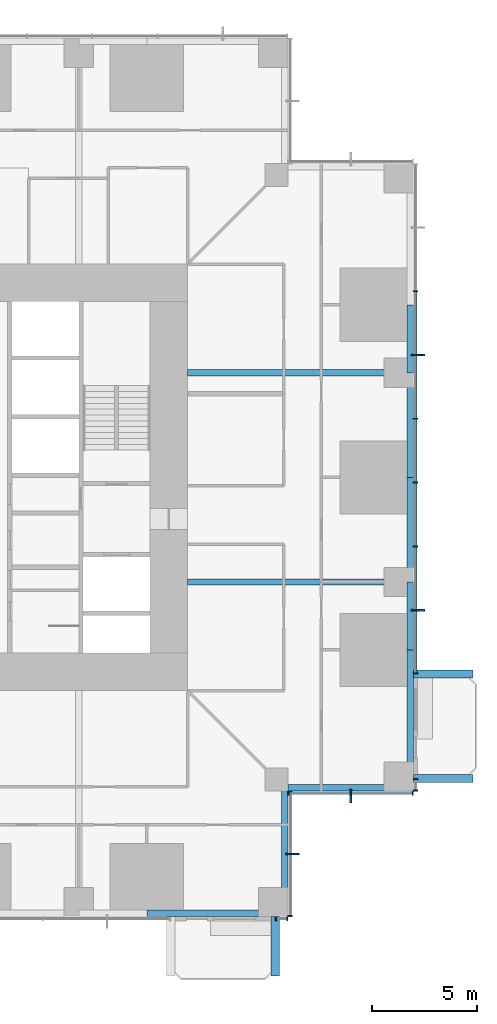
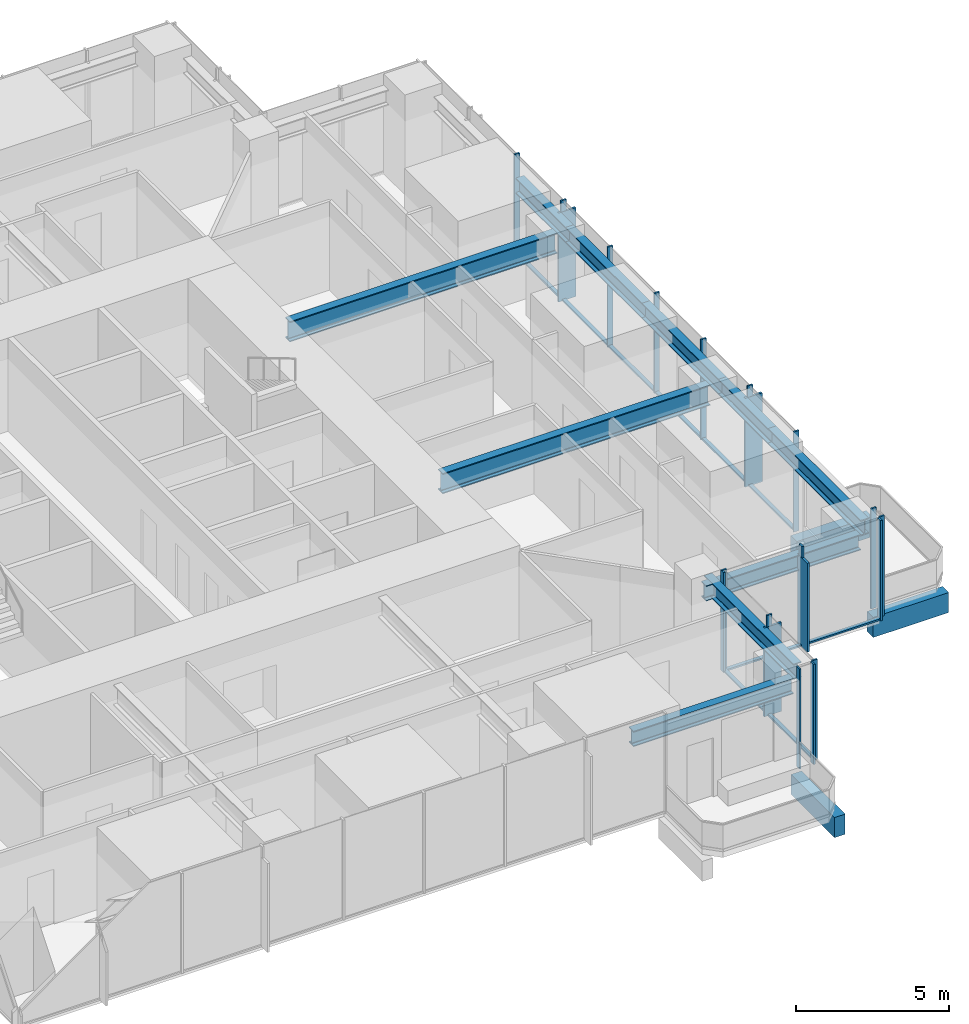
# One storey, part 4 of 17: 31 members, 13 beams, 5 elements without a shape of their own.
"""IFC4 building model written with IfcOpenShell, lengths in metres."""

from ifc_helpers import new_model, si_unit, direction, frame, origin, origin_2d, place, context, subcontext, project, spatial, rectangle, i_section, extrude, material, material_profile, profile_set, type_object, element, aggregate, save


model = new_model("IFC4")

# Units and contexts
model_context = context("Model", 3, precision=1e-05, world=origin(), true_north=direction((0.0, 1.0)))
body_context = subcontext(model_context, "Body", "Model", "MODEL_VIEW")
ifc_project = project(units=[si_unit("LENGTHUNIT", "METRE"), si_unit("AREAUNIT", "SQUARE_METRE"), si_unit("VOLUMEUNIT", "CUBIC_METRE"), si_unit("PLANEANGLEUNIT", "RADIAN"), si_unit("MASSUNIT", "GRAM", prefix="KILO")], contexts=[model_context])

# Site, building, storey
site_placement = place(None, origin())
site = spatial("IfcSite", under=ifc_project, at=site_placement, CompositionType="ELEMENT")
building_placement = place(site_placement, origin())
building = spatial("IfcBuilding", under=site, at=building_placement, Name="Svetlomir Tower", CompositionType="ELEMENT")
storey_placement = place(building_placement, frame((0.0, 0.0, 82.5)))
storey = spatial("IfcBuildingStorey", under=building, at=storey_placement, Name="L19", CompositionType="ELEMENT", Elevation=82.5)

# Beams
ifc_material_1 = material(Name="Concrete C60/75", Category="concrete")
ifc_material_profile_1 = material_profile(ifc_material_1, rectangle(XDim=0.39990234375, YDim=0.800048828125, at=origin_2d()), Name="RC 400x800")
ifc_profile_set_1 = profile_set([ifc_material_profile_1], Name="Concrete C60/75")
beam_type_1 = type_object("IfcBeamType", Name="BALCONY RIB RC 400x800", PredefinedType="BEAM", material=ifc_profile_set_1)
for number, where, z_axis, x_axis, name in (
    (1, (35.39990234375, 0.0, -0.64990234375), (0.0, -1.0, 0.0), (1.0, 0.0, 0.0), "Balcony rib S 2 L19"),
    (2, (42.0, 6.60009765625, -0.64990234375), (1.0, 0.0, 0.0), (0.0, 1.0, 0.0), "Balcony rib E 1 L19"),
    (3, (42.0, 11.60009765625, -0.64990234375), (1.0, 0.0, 0.0), (0.0, 1.0, 0.0), "Balcony rib E 2 L19"),
):
    element("IfcBeam", number, at=place(storey_placement, frame(where, z_axis=z_axis, x_axis=x_axis)), inside=storey, type_object=beam_type_1, Name=name, PredefinedType="BEAM", context=body_context, shape_type="SweptSolid", body=[
        extrude(rectangle(XDim=0.39990234375, YDim=0.800048828125, at=origin_2d()), origin(), (0.0, 0.0, 1.0), 2.85009765625),
    ])

# Curtain wall, member
ifc_material_2 = material(Name="Bronze anodised aluminium curtain wall", Category="aluminium")
curtain_wall_type = type_object("IfcCurtainWallType", Name="CURTAIN WALL CW1 TOWER OFFICE", PredefinedType="NOTDEFINED", material=ifc_material_2)
curtain_wall_1_placement = place(storey_placement, origin())
curtain_wall_1 = element("IfcCurtainWall", 4, at=curtain_wall_1_placement, inside=storey, type_object=curtain_wall_type, Name="Curtain wall CW1 L19", PredefinedType="NOTDEFINED")
ifc_material_3 = material(Name="Bronze anodised aluminium", Category="aluminium")
ifc_material_profile_2 = material_profile(ifc_material_3, rectangle(XDim=0.080078125, YDim=0.64990234375, at=origin_2d()), Name="FIN 80x650")
ifc_profile_set_2 = profile_set([ifc_material_profile_2], Name="Bronze anodised aluminium 6063-T6")
member_type_1 = type_object("IfcMemberType", Name="BRONZE FIN 80x650", PredefinedType="USERDEFINED", material=ifc_profile_set_2)
member_1_placement = place(storey_placement, frame((36.22509765625, 3.0, 0.0), z_axis=(0.0, 0.0, 1.0), x_axis=(0.0, 1.0, 0.0)))
member_1 = element("IfcMember", 5, at=member_1_placement, type_object=member_type_1, Name="Bronze fin L19", ObjectType="FIN", PredefinedType="USERDEFINED", context=body_context, shape_type="SweptSolid", body=[
    extrude(rectangle(XDim=0.080078125, YDim=0.64990234375, at=origin_2d()), origin(), (0.0, 0.0, 1.0), 3.550048828125),
])

curtain_wall_2_placement = place(storey_placement, origin())
curtain_wall_2 = element("IfcCurtainWall", 6, at=curtain_wall_2_placement, inside=storey, type_object=curtain_wall_type, Name="Curtain wall CW1 L19", PredefinedType="NOTDEFINED")
member_2_placement = place(storey_placement, frame((39.0, 5.77490234375, 0.0), z_axis=(0.0, 0.0, 1.0), x_axis=(1.0, 0.0, 0.0)))
member_2 = element("IfcMember", 7, at=member_2_placement, type_object=member_type_1, Name="Bronze fin L19", ObjectType="FIN", PredefinedType="USERDEFINED", context=body_context, shape_type="SweptSolid", body=[
    extrude(rectangle(XDim=0.080078125, YDim=0.64990234375, at=origin_2d()), origin(), (0.0, 0.0, 1.0), 3.550048828125),
])

# Curtain wall, members
curtain_wall_3_placement = place(storey_placement, origin())
curtain_wall_3 = element("IfcCurtainWall", 8, at=curtain_wall_3_placement, inside=storey, type_object=curtain_wall_type, Name="Curtain wall CW1 L19", PredefinedType="NOTDEFINED")
member_3_placement = place(storey_placement, frame((42.22509765625, 14.64990234375, 0.0), z_axis=(0.0, 0.0, 1.0), x_axis=(0.0, 1.0, 0.0)))
member_3 = element("IfcMember", 9, at=member_3_placement, type_object=member_type_1, Name="Bronze fin L19", ObjectType="FIN", PredefinedType="USERDEFINED", context=body_context, shape_type="SweptSolid", body=[
    extrude(rectangle(XDim=0.080078125, YDim=0.64990234375, at=origin_2d()), origin(), (0.0, 0.0, 1.0), 3.550048828125),
])
member_4_placement = place(storey_placement, frame((42.22509765625, 26.85009765625, 0.0), z_axis=(0.0, 0.0, 1.0), x_axis=(0.0, 1.0, 0.0)))
member_4 = element("IfcMember", 10, at=member_4_placement, type_object=member_type_1, Name="Bronze fin L19", ObjectType="FIN", PredefinedType="USERDEFINED", context=body_context, shape_type="SweptSolid", body=[
    extrude(rectangle(XDim=0.080078125, YDim=0.64990234375, at=origin_2d()), origin(), (0.0, 0.0, 1.0), 3.550048828125),
])

curtain_wall_4_placement = place(storey_placement, origin())
curtain_wall_4 = element("IfcCurtainWall", 11, at=curtain_wall_4_placement, inside=storey, type_object=curtain_wall_type, Name="Curtain wall CW1 L19", PredefinedType="NOTDEFINED")
ifc_material_4 = material(Name="Bronze anodised aluminium", Category="aluminium")
ifc_material_profile_3 = material_profile(ifc_material_4, rectangle(XDim=0.06494140625, YDim=0.199951171875, at=origin_2d()), Name="AL 65x200")
ifc_profile_set_3 = profile_set([ifc_material_profile_3], Name="Bronze anodised aluminium 6063-T6")
member_type_2 = type_object("IfcMemberType", Name="CW1 MULLION 65x200", PredefinedType="MULLION", material=ifc_profile_set_3)
member_5_placement = place(storey_placement, frame((35.4326171875, -0.10009765625, 0.0), z_axis=(0.0, 0.0, 1.0), x_axis=(1.0, 0.0, 0.0)))
member_5 = element("IfcMember", 12, at=member_5_placement, type_object=member_type_2, Name="CW1 mullion 1", PredefinedType="MULLION", context=body_context, shape_type="SweptSolid", body=[
    extrude(rectangle(XDim=0.06494140625, YDim=0.199951171875, at=origin_2d()), origin(), (0.0, 0.0, 1.0), 4.0),
])
member_6_placement = place(storey_placement, frame((35.967529296875, -0.10009765625, 0.0), z_axis=(0.0, 0.0, 1.0), x_axis=(1.0, 0.0, 0.0)))
member_6 = element("IfcMember", 13, at=member_6_placement, type_object=member_type_2, Name="CW1 mullion 2", PredefinedType="MULLION", context=body_context, shape_type="SweptSolid", body=[
    extrude(rectangle(XDim=0.06494140625, YDim=0.199951171875, at=origin_2d()), origin(), (0.0, 0.0, 1.0), 4.0),
])
aggregate(curtain_wall_4, [member_5, member_6])

# Member
member_7_placement = place(storey_placement, frame((36.10009765625, 0.032470703125, 0.0), z_axis=(0.0, 0.0, 1.0), x_axis=(0.0, 1.0, 0.0)))
member_7 = element("IfcMember", 14, at=member_7_placement, type_object=member_type_2, Name="CW1 mullion 1", PredefinedType="MULLION", context=body_context, shape_type="SweptSolid", body=[
    extrude(rectangle(XDim=0.06494140625, YDim=0.199951171875, at=origin_2d()), origin(), (0.0, 0.0, 1.0), 4.0),
])

member_8_placement = place(storey_placement, frame((36.10009765625, 3.0, 0.0), z_axis=(0.0, 0.0, 1.0), x_axis=(0.0, 1.0, 0.0)))
member_8 = element("IfcMember", 15, at=member_8_placement, type_object=member_type_2, Name="CW1 mullion 2", PredefinedType="MULLION", context=body_context, shape_type="SweptSolid", body=[
    extrude(rectangle(XDim=0.06494140625, YDim=0.199951171875, at=origin_2d()), origin(), (0.0, 0.0, 1.0), 4.0),
])

member_9_placement = place(storey_placement, frame((36.10009765625, 5.967529296875, 0.0), z_axis=(0.0, 0.0, 1.0), x_axis=(0.0, 1.0, 0.0)))
member_9 = element("IfcMember", 16, at=member_9_placement, type_object=member_type_2, Name="CW1 mullion 3", PredefinedType="MULLION", context=body_context, shape_type="SweptSolid", body=[
    extrude(rectangle(XDim=0.06494140625, YDim=0.199951171875, at=origin_2d()), origin(), (0.0, 0.0, 1.0), 4.0),
])

member_10_placement = place(storey_placement, frame((36.032470703125, 5.89990234375, 0.0), z_axis=(0.0, 0.0, 1.0), x_axis=(1.0, 0.0, 0.0)))
member_10 = element("IfcMember", 17, at=member_10_placement, type_object=member_type_2, Name="CW1 mullion 1", PredefinedType="MULLION", context=body_context, shape_type="SweptSolid", body=[
    extrude(rectangle(XDim=0.06494140625, YDim=0.199951171875, at=origin_2d()), origin(), (0.0, 0.0, 1.0), 4.0),
])

member_11_placement = place(storey_placement, frame((39.0, 5.89990234375, 0.0), z_axis=(0.0, 0.0, 1.0), x_axis=(1.0, 0.0, 0.0)))
member_11 = element("IfcMember", 18, at=member_11_placement, type_object=member_type_2, Name="CW1 mullion 2", PredefinedType="MULLION", context=body_context, shape_type="SweptSolid", body=[
    extrude(rectangle(XDim=0.06494140625, YDim=0.199951171875, at=origin_2d()), origin(), (0.0, 0.0, 1.0), 4.0),
])

member_12_placement = place(storey_placement, frame((41.967529296875, 5.89990234375, 0.0), z_axis=(0.0, 0.0, 1.0), x_axis=(1.0, 0.0, 0.0)))
member_12 = element("IfcMember", 19, at=member_12_placement, type_object=member_type_2, Name="CW1 mullion 3", PredefinedType="MULLION", context=body_context, shape_type="SweptSolid", body=[
    extrude(rectangle(XDim=0.06494140625, YDim=0.199951171875, at=origin_2d()), origin(), (0.0, 0.0, 1.0), 4.0),
])

# Curtain wall, members
curtain_wall_5_placement = place(storey_placement, origin())
curtain_wall_5 = element("IfcCurtainWall", 20, at=curtain_wall_5_placement, inside=storey, type_object=curtain_wall_type, Name="Curtain wall CW1 L19", PredefinedType="NOTDEFINED")
member_13_placement = place(storey_placement, frame((42.10009765625, 6.032470703125, 0.0), z_axis=(0.0, 0.0, 1.0), x_axis=(0.0, 1.0, 0.0)))
member_13 = element("IfcMember", 21, at=member_13_placement, type_object=member_type_2, Name="CW1 mullion 1", PredefinedType="MULLION", context=body_context, shape_type="SweptSolid", body=[
    extrude(rectangle(XDim=0.06494140625, YDim=0.199951171875, at=origin_2d()), origin(), (0.0, 0.0, 1.0), 4.0),
])
member_14_placement = place(storey_placement, frame((42.10009765625, 6.5673828125, 0.0), z_axis=(0.0, 0.0, 1.0), x_axis=(0.0, 1.0, 0.0)))
member_14 = element("IfcMember", 22, at=member_14_placement, type_object=member_type_2, Name="CW1 mullion 2", PredefinedType="MULLION", context=body_context, shape_type="SweptSolid", body=[
    extrude(rectangle(XDim=0.06494140625, YDim=0.199951171875, at=origin_2d()), origin(), (0.0, 0.0, 1.0), 4.0),
])
aggregate(curtain_wall_5, [member_13, member_14])

# Member
member_15_placement = place(storey_placement, frame((42.10009765625, 11.632568359375, 0.0), z_axis=(0.0, 0.0, 1.0), x_axis=(0.0, 1.0, 0.0)))
member_15 = element("IfcMember", 23, at=member_15_placement, type_object=member_type_2, Name="CW1 mullion 1", PredefinedType="MULLION", context=body_context, shape_type="SweptSolid", body=[
    extrude(rectangle(XDim=0.06494140625, YDim=0.199951171875, at=origin_2d()), origin(), (0.0, 0.0, 1.0), 4.0),
])

member_16_placement = place(storey_placement, frame((42.10009765625, 14.64990234375, 0.0), z_axis=(0.0, 0.0, 1.0), x_axis=(0.0, 1.0, 0.0)))
member_16 = element("IfcMember", 24, at=member_16_placement, type_object=member_type_2, Name="CW1 mullion 2", PredefinedType="MULLION", context=body_context, shape_type="SweptSolid", body=[
    extrude(rectangle(XDim=0.06494140625, YDim=0.199951171875, at=origin_2d()), origin(), (0.0, 0.0, 1.0), 4.0),
])

member_17_placement = place(storey_placement, frame((42.10009765625, 17.699951171875, 0.0), z_axis=(0.0, 0.0, 1.0), x_axis=(0.0, 1.0, 0.0)))
member_17 = element("IfcMember", 25, at=member_17_placement, type_object=member_type_2, Name="CW1 mullion 3", PredefinedType="MULLION", context=body_context, shape_type="SweptSolid", body=[
    extrude(rectangle(XDim=0.06494140625, YDim=0.199951171875, at=origin_2d()), origin(), (0.0, 0.0, 1.0), 4.0),
])

member_18_placement = place(storey_placement, frame((42.10009765625, 20.75, 0.0), z_axis=(0.0, 0.0, 1.0), x_axis=(0.0, 1.0, 0.0)))
member_18 = element("IfcMember", 26, at=member_18_placement, type_object=member_type_2, Name="CW1 mullion 4", PredefinedType="MULLION", context=body_context, shape_type="SweptSolid", body=[
    extrude(rectangle(XDim=0.06494140625, YDim=0.199951171875, at=origin_2d()), origin(), (0.0, 0.0, 1.0), 4.0),
])

member_19_placement = place(storey_placement, frame((42.10009765625, 23.800048828125, 0.0), z_axis=(0.0, 0.0, 1.0), x_axis=(0.0, 1.0, 0.0)))
member_19 = element("IfcMember", 27, at=member_19_placement, type_object=member_type_2, Name="CW1 mullion 5", PredefinedType="MULLION", context=body_context, shape_type="SweptSolid", body=[
    extrude(rectangle(XDim=0.06494140625, YDim=0.199951171875, at=origin_2d()), origin(), (0.0, 0.0, 1.0), 4.0),
])

member_20_placement = place(storey_placement, frame((42.10009765625, 26.85009765625, 0.0), z_axis=(0.0, 0.0, 1.0), x_axis=(0.0, 1.0, 0.0)))
member_20 = element("IfcMember", 28, at=member_20_placement, type_object=member_type_2, Name="CW1 mullion 6", PredefinedType="MULLION", context=body_context, shape_type="SweptSolid", body=[
    extrude(rectangle(XDim=0.06494140625, YDim=0.199951171875, at=origin_2d()), origin(), (0.0, 0.0, 1.0), 4.0),
])

member_21_placement = place(storey_placement, frame((42.10009765625, 29.89990234375, 0.0), z_axis=(0.0, 0.0, 1.0), x_axis=(0.0, 1.0, 0.0)))
member_21 = element("IfcMember", 29, at=member_21_placement, type_object=member_type_2, Name="CW1 mullion 7", PredefinedType="MULLION", context=body_context, shape_type="SweptSolid", body=[
    extrude(rectangle(XDim=0.06494140625, YDim=0.199951171875, at=origin_2d()), origin(), (0.0, 0.0, 1.0), 4.0),
])

ifc_material_5 = material(Name="Bronze anodised aluminium", Category="aluminium")
ifc_material_profile_4 = material_profile(ifc_material_5, rectangle(XDim=0.139892578125, YDim=0.06494140625, at=origin_2d()), Name="AL 140x65")
ifc_profile_set_4 = profile_set([ifc_material_profile_4], Name="Bronze anodised aluminium 6063-T6")
member_type_3 = type_object("IfcMemberType", Name="CW1 TRANSOM 65x140", PredefinedType="USERDEFINED", material=ifc_profile_set_4)
member_22_placement = place(storey_placement, frame((36.10009765625, 0.06494140625, 0.032470703125), z_axis=(0.0, 1.0, 0.0), x_axis=(-1.0, 0.0, 0.0)))
member_22 = element("IfcMember", 30, at=member_22_placement, type_object=member_type_3, Name="CW1 transom 1.1", ObjectType="TRANSOM", PredefinedType="USERDEFINED", context=body_context, shape_type="SweptSolid", body=[
    extrude(rectangle(XDim=0.139892578125, YDim=0.06494140625, at=origin_2d()), origin(), (0.0, 0.0, 1.0), 2.902587890625),
])

member_23_placement = place(storey_placement, frame((36.10009765625, 3.032470703125, 0.032470703125), z_axis=(0.0, 1.0, 0.0), x_axis=(-1.0, 0.0, 0.0)))
member_23 = element("IfcMember", 31, at=member_23_placement, type_object=member_type_3, Name="CW1 transom 2.1", ObjectType="TRANSOM", PredefinedType="USERDEFINED", context=body_context, shape_type="SweptSolid", body=[
    extrude(rectangle(XDim=0.139892578125, YDim=0.06494140625, at=origin_2d()), origin(), (0.0, 0.0, 1.0), 2.902587890625),
])

aggregate(curtain_wall_1, [member_7, member_8, member_9, member_22, member_23, member_1])

member_24_placement = place(storey_placement, frame((36.06494140625, 5.89990234375, 0.032470703125), z_axis=(1.0, 0.0, 0.0), x_axis=(0.0, 1.0, 0.0)))
member_24 = element("IfcMember", 32, at=member_24_placement, type_object=member_type_3, Name="CW1 transom 1.1", ObjectType="TRANSOM", PredefinedType="USERDEFINED", context=body_context, shape_type="SweptSolid", body=[
    extrude(rectangle(XDim=0.139892578125, YDim=0.06494140625, at=origin_2d()), origin(), (0.0, 0.0, 1.0), 2.902587890625),
])

member_25_placement = place(storey_placement, frame((39.032470703125, 5.89990234375, 0.032470703125), z_axis=(1.0, 0.0, 0.0), x_axis=(0.0, 1.0, 0.0)))
member_25 = element("IfcMember", 33, at=member_25_placement, type_object=member_type_3, Name="CW1 transom 2.1", ObjectType="TRANSOM", PredefinedType="USERDEFINED", context=body_context, shape_type="SweptSolid", body=[
    extrude(rectangle(XDim=0.139892578125, YDim=0.06494140625, at=origin_2d()), origin(), (0.0, 0.0, 1.0), 2.902587890625),
])

aggregate(curtain_wall_2, [member_10, member_11, member_12, member_24, member_25, member_2])

member_26_placement = place(storey_placement, frame((42.10009765625, 11.6650390625, 0.032470703125), z_axis=(0.0, 1.0, 0.0), x_axis=(-1.0, 0.0, 0.0)))
member_26 = element("IfcMember", 34, at=member_26_placement, type_object=member_type_3, Name="CW1 transom 1.1", ObjectType="TRANSOM", PredefinedType="USERDEFINED", context=body_context, shape_type="SweptSolid", body=[
    extrude(rectangle(XDim=0.139892578125, YDim=0.06494140625, at=origin_2d()), origin(), (0.0, 0.0, 1.0), 2.952392578125),
])

member_27_placement = place(storey_placement, frame((42.10009765625, 14.6826171875, 0.032470703125), z_axis=(0.0, 1.0, 0.0), x_axis=(-1.0, 0.0, 0.0)))
member_27 = element("IfcMember", 35, at=member_27_placement, type_object=member_type_3, Name="CW1 transom 2.1", ObjectType="TRANSOM", PredefinedType="USERDEFINED", context=body_context, shape_type="SweptSolid", body=[
    extrude(rectangle(XDim=0.139892578125, YDim=0.06494140625, at=origin_2d()), origin(), (0.0, 0.0, 1.0), 2.98486328125),
])

member_28_placement = place(storey_placement, frame((42.10009765625, 17.732421875, 0.032470703125), z_axis=(0.0, 1.0, 0.0), x_axis=(-1.0, 0.0, 0.0)))
member_28 = element("IfcMember", 36, at=member_28_placement, type_object=member_type_3, Name="CW1 transom 3.1", ObjectType="TRANSOM", PredefinedType="USERDEFINED", context=body_context, shape_type="SweptSolid", body=[
    extrude(rectangle(XDim=0.139892578125, YDim=0.06494140625, at=origin_2d()), origin(), (0.0, 0.0, 1.0), 2.985107421875),
])

member_29_placement = place(storey_placement, frame((42.10009765625, 20.782470703125, 0.032470703125), z_axis=(0.0, 1.0, 0.0), x_axis=(-1.0, 0.0, 0.0)))
member_29 = element("IfcMember", 37, at=member_29_placement, type_object=member_type_3, Name="CW1 transom 4.1", ObjectType="TRANSOM", PredefinedType="USERDEFINED", context=body_context, shape_type="SweptSolid", body=[
    extrude(rectangle(XDim=0.139892578125, YDim=0.06494140625, at=origin_2d()), origin(), (0.0, 0.0, 1.0), 2.985107421875),
])

member_30_placement = place(storey_placement, frame((42.10009765625, 23.83251953125, 0.032470703125), z_axis=(0.0, 1.0, 0.0), x_axis=(-1.0, 0.0, 0.0)))
member_30 = element("IfcMember", 38, at=member_30_placement, type_object=member_type_3, Name="CW1 transom 5.1", ObjectType="TRANSOM", PredefinedType="USERDEFINED", context=body_context, shape_type="SweptSolid", body=[
    extrude(rectangle(XDim=0.139892578125, YDim=0.06494140625, at=origin_2d()), origin(), (0.0, 0.0, 1.0), 2.98486328125),
])

member_31_placement = place(storey_placement, frame((42.10009765625, 26.882568359375, 0.032470703125), z_axis=(0.0, 1.0, 0.0), x_axis=(-1.0, 0.0, 0.0)))
member_31 = element("IfcMember", 39, at=member_31_placement, type_object=member_type_3, Name="CW1 transom 6.1", ObjectType="TRANSOM", PredefinedType="USERDEFINED", context=body_context, shape_type="SweptSolid", body=[
    extrude(rectangle(XDim=0.139892578125, YDim=0.06494140625, at=origin_2d()), origin(), (0.0, 0.0, 1.0), 2.98486328125),
])

aggregate(curtain_wall_3, [member_15, member_16, member_17, member_18, member_19, member_20, member_21, member_26, member_27, member_28, member_29, member_30, member_31, member_3, member_4])

# Beams
ifc_material_6 = material(Name="Steel S355", Category="steel")
ifc_material_profile_5 = material_profile(ifc_material_6, i_section(OverallWidth=0.304931640625, OverallDepth=0.6201171875, WebThickness=0.02099609375, FlangeThickness=0.0400390625, FilletRadius=0.027099609375, at=origin_2d()), Name="HEM 600")
ifc_profile_set_5 = profile_set([ifc_material_profile_5], Name="Steel S355")
beam_type_2 = type_object("IfcBeamType", Name="EDGE BEAM HEM 600", PredefinedType="SPANDREL", material=ifc_profile_set_5)
beam_1_placement = place(storey_placement, frame((41.847412109375, 6.699951171875, 3.239990234375), z_axis=(0.0, 1.0, 0.0), x_axis=(-1.0, 0.0, 0.0)))
element("IfcBeam", 40, at=beam_1_placement, inside=storey, type_object=beam_type_2, Name="Edge beam 42/6 to 42/11 under L20", PredefinedType="SPANDREL", context=body_context, shape_type="SweptSolid", body=[
    extrude(i_section(OverallWidth=0.304931640625, OverallDepth=0.6201171875, WebThickness=0.02099609375, FlangeThickness=0.0400390625, FilletRadius=0.027099609375, at=origin_2d()), origin(), (0.0, 0.0, 1.0), 6.050048828125),
])
beam_2_placement = place(storey_placement, frame((41.847412109375, 12.75, 3.239990234375), z_axis=(0.0, 1.0, 0.0), x_axis=(-1.0, 0.0, 0.0)))
element("IfcBeam", 41, at=beam_2_placement, inside=storey, type_object=beam_type_2, Name="Edge beam 42/11 to 42/16 under L20", PredefinedType="SPANDREL", context=body_context, shape_type="SweptSolid", body=[
    extrude(i_section(OverallWidth=0.304931640625, OverallDepth=0.6201171875, WebThickness=0.02099609375, FlangeThickness=0.0400390625, FilletRadius=0.027099609375, at=origin_2d()), origin(), (0.0, 0.0, 1.0), 3.25),
])
for number, where, z_axis, x_axis, name in (
    (42, (41.847412109375, 16.0, 3.239990234375), (0.0, 1.0, 0.0), (-1.0, 0.0, 0.0), "Edge beam 42/16 to 42/21 under L20"),
    (43, (41.847412109375, 21.0, 3.239990234375), (0.0, 1.0, 0.0), (-1.0, 0.0, 0.0), "Edge beam 42/21 to 42/26 under L20"),
):
    element("IfcBeam", number, at=place(storey_placement, frame(where, z_axis=z_axis, x_axis=x_axis)), inside=storey, type_object=beam_type_2, Name=name, PredefinedType="SPANDREL", context=body_context, shape_type="SweptSolid", body=[
        extrude(i_section(OverallWidth=0.304931640625, OverallDepth=0.6201171875, WebThickness=0.02099609375, FlangeThickness=0.0400390625, FilletRadius=0.027099609375, at=origin_2d()), origin(), (0.0, 0.0, 1.0), 5.0),
    ])
beam_3_placement = place(storey_placement, frame((41.847412109375, 26.0, 3.239990234375), z_axis=(0.0, 1.0, 0.0), x_axis=(-1.0, 0.0, 0.0)))
element("IfcBeam", 44, at=beam_3_placement, inside=storey, type_object=beam_type_2, Name="Edge beam 42/26 to 42/31 under L20", PredefinedType="SPANDREL", context=body_context, shape_type="SweptSolid", body=[
    extrude(i_section(OverallWidth=0.304931640625, OverallDepth=0.6201171875, WebThickness=0.02099609375, FlangeThickness=0.0400390625, FilletRadius=0.027099609375, at=origin_2d()), origin(), (0.0, 0.0, 1.0), 3.25),
])
beam_4_placement = place(storey_placement, frame((29.25, 0.152587890625, 3.239990234375), z_axis=(1.0, 0.0, 0.0), x_axis=(0.0, 1.0, 0.0)))
element("IfcBeam", 45, at=beam_4_placement, inside=storey, type_object=beam_type_2, Name="Edge beam 31/0 to 36/0 under L20", PredefinedType="SPANDREL", context=body_context, shape_type="SweptSolid", body=[
    extrude(i_section(OverallWidth=0.304931640625, OverallDepth=0.6201171875, WebThickness=0.02099609375, FlangeThickness=0.0400390625, FilletRadius=0.027099609375, at=origin_2d()), origin(), (0.0, 0.0, 1.0), 6.050048828125),
])
for number, where, z_axis, x_axis, name in (
    (46, (35.847412109375, 0.699951171875, 3.239990234375), (0.0, 1.0, 0.0), (-1.0, 0.0, 0.0), "Edge beam 36/0 to 36/6 under L20"),
    (47, (41.300048828125, 6.152587890625, 3.239990234375), (-1.0, 0.0, 0.0), (0.0, -1.0, 0.0), "Edge beam 42/6 to 36/6 under L20"),
):
    element("IfcBeam", number, at=place(storey_placement, frame(where, z_axis=z_axis, x_axis=x_axis)), inside=storey, type_object=beam_type_2, Name=name, PredefinedType="SPANDREL", context=body_context, shape_type="SweptSolid", body=[
        extrude(i_section(OverallWidth=0.304931640625, OverallDepth=0.6201171875, WebThickness=0.02099609375, FlangeThickness=0.0400390625, FilletRadius=0.027099609375, at=origin_2d()), origin(), (0.0, 0.0, 1.0), 5.85009765625),
    ])
ifc_material_7 = material(Name="Steel S355", Category="steel")
ifc_material_profile_6 = material_profile(ifc_material_7, i_section(OverallWidth=0.302978515625, OverallDepth=0.81396484375, WebThickness=0.02099609375, FlangeThickness=0.0400390625, FilletRadius=0.030029296875, at=origin_2d()), Name="HEM 800")
ifc_profile_set_6 = profile_set([ifc_material_profile_6], Name="Steel S355")
beam_type_3 = type_object("IfcBeamType", Name="PLANT FLOOR BEAM HEM 800", PredefinedType="BEAM", material=ifc_profile_set_6)
for number, where, z_axis, x_axis, name in (
    (48, (41.300048828125, 16.0, 3.14306640625), (-1.0, 0.0, 0.0), (0.0, -1.0, 0.0), "Plant floor beam E 16 under L20"),
    (49, (41.300048828125, 26.0, 3.14306640625), (-1.0, 0.0, 0.0), (0.0, -1.0, 0.0), "Plant floor beam E 26 under L20"),
):
    element("IfcBeam", number, at=place(storey_placement, frame(where, z_axis=z_axis, x_axis=x_axis)), inside=storey, type_object=beam_type_3, Name=name, PredefinedType="BEAM", context=body_context, shape_type="SweptSolid", body=[
        extrude(i_section(OverallWidth=0.302978515625, OverallDepth=0.81396484375, WebThickness=0.02099609375, FlangeThickness=0.0400390625, FilletRadius=0.030029296875, at=origin_2d()), origin(), (0.0, 0.0, 1.0), 10.10009765625),
    ])

save(model, "model.ifc")
